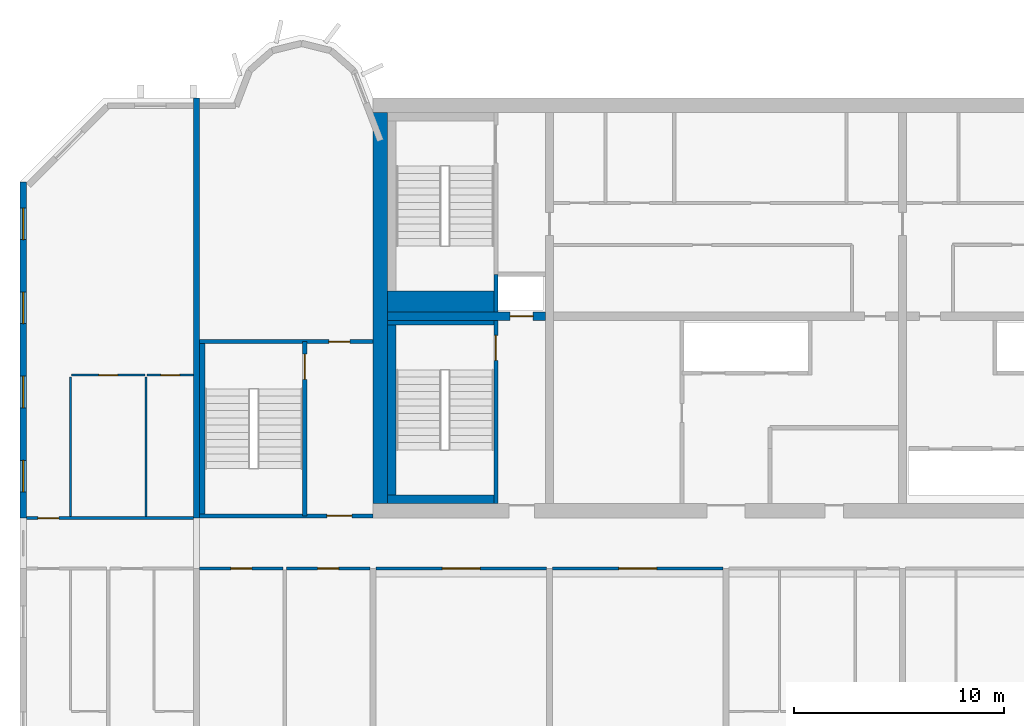
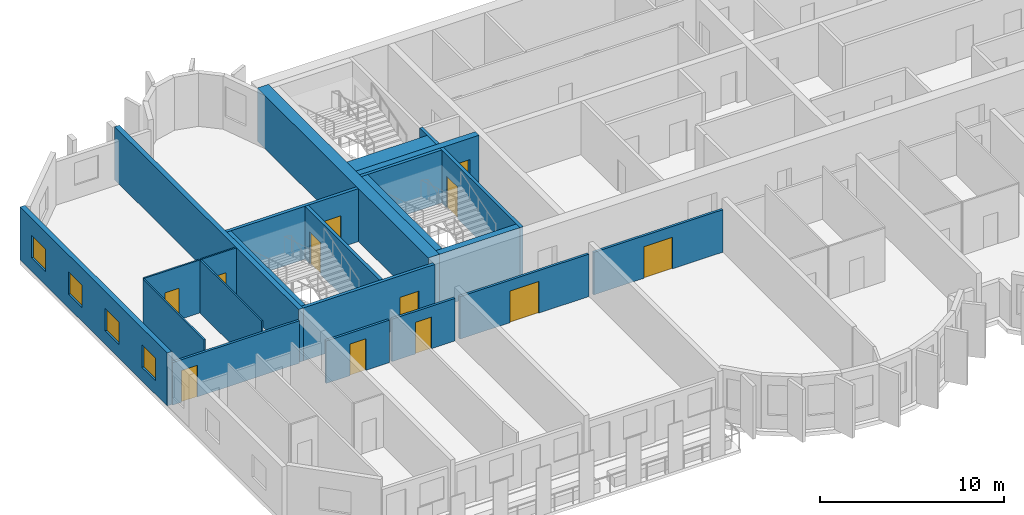
# One storey, part 3 of 13: 23 walls, 12 doors, 4 windows, 16 openings.
"""IFC4 building model written with IfcOpenShell, lengths in metres."""

from ifc_helpers import new_model, si_unit, direction, frame, frame_2d, origin, place, context, subcontext, project, spatial, rectangle, extrude, source, transform, mapped, material, layer, layer_set, type_object, element, fill, save


model = new_model("IFC4")

# Units and contexts
model_context = context("Model", 3, precision=1e-05, world=origin(), true_north=direction((0.0, 1.0)))
body_context = subcontext(model_context, "Body", "Model", "MODEL_VIEW")
ifc_project = project(units=[si_unit("LENGTHUNIT", "METRE"), si_unit("AREAUNIT", "SQUARE_METRE"), si_unit("VOLUMEUNIT", "CUBIC_METRE"), si_unit("PLANEANGLEUNIT", "RADIAN"), si_unit("MASSUNIT", "GRAM", prefix="KILO")], contexts=[model_context])

# Site, building, storey
site_placement = place(None, origin())
site = spatial("IfcSite", under=ifc_project, at=site_placement, CompositionType="ELEMENT")
building_placement = place(site_placement, origin())
building = spatial("IfcBuilding", under=site, at=building_placement, Name="Vanashikhar Sky Hotel", CompositionType="ELEMENT")
storey_placement = place(building_placement, frame((0.0, 0.0, 197.199951171875)))
storey = spatial("IfcBuildingStorey", under=building, at=storey_placement, Name="L48", CompositionType="ELEMENT", Elevation=197.199951171875)

# Wall
ifc_material_1 = material(Name="Concrete M60", Category="concrete")
ifc_layer_1 = layer(ifc_material_1, 0.699951171875)
ifc_layer_set_1 = layer_set([ifc_layer_1], Name="RC core shell wall 700 Concrete M60")
wall_type_1 = type_object("IfcWallType", Name="RC core shell wall 700 Concrete M60", PredefinedType="SHEAR", material=ifc_layer_set_1)
shared_shape_1 = source(origin(), body_context, "Body", "SweptSolid", [
    extrude(rectangle(XDim=18.60009765625, YDim=0.699951171875, at=frame_2d((9.300048828125, 0.0))), origin(), (0.0, 0.0, 1.0), 3.52001953125),
])
wall_1_placement = place(storey_placement, frame((25.550048828125, 22.699951171875, 0.0), z_axis=(0.0, 0.0, 1.0), x_axis=(0.0, 1.0, 0.0)))
element("IfcWall", 1, at=wall_1_placement, inside=storey, type_object=wall_type_1, Name="KW-L48-KW", PredefinedType="SHEAR", context=body_context, shape_type="MappedRepresentation", body=[
    mapped(shared_shape_1, transform((0.0, 0.0, 0.0), scale=1.0)),
])

# Wall, opening, door
ifc_layer_2 = layer(ifc_material_1, 0.39990234375)
ifc_layer_set_2 = layer_set([ifc_layer_2], Name="RC core inner wall 400 Concrete M60")
wall_type_2 = type_object("IfcWallType", Name="RC core inner wall 400 Concrete M60", PredefinedType="SHEAR", material=ifc_layer_set_2)
shared_shape_2 = source(origin(), body_context, "Body", "SweptSolid", [
    extrude(rectangle(XDim=7.5, YDim=0.39990234375, at=frame_2d((3.75, 0.0))), origin(), (0.0, 0.0, 1.0), 3.52001953125),
])
wall_2_placement = place(storey_placement, frame((25.89990234375, 31.60009765625, 0.0), z_axis=(0.0, 0.0, 1.0), x_axis=(1.0, 0.0, 0.0)))
wall_2 = element("IfcWall", 2, at=wall_2_placement, inside=storey, type_object=wall_type_2, Name="KW-L48-KY1", PredefinedType="SHEAR", context=body_context, shape_type="MappedRepresentation", body=[
    mapped(shared_shape_2, transform((0.0, 0.0, 0.0), scale=1.0)),
])
shared_shape_3 = source(origin(), body_context, "Body", "SweptSolid", [
    extrude(rectangle(XDim=1.10009765625, YDim=2.10009765625, at=frame_2d((0.550048828125, 1.050048828125))), frame((0.0, 0.2099609375, 0.0), z_axis=(0.0, -1.0, 0.0), x_axis=(1.0, 0.0, 0.0)), (0.0, 0.0, 1.0), 0.419921875),
])
opening_1_placement = place(wall_2_placement, frame((5.824951171875, 0.0, 0.0)))
opening_1 = element("IfcOpeningElement", 3, at=opening_1_placement, cuts=wall_2, Name="Opening LD", PredefinedType="OPENING", context=body_context, shape_type="MappedRepresentation", body=[
    mapped(shared_shape_3, transform((0.0, 0.0, 0.0), scale=1.0)),
])
ifc_material_2 = material(Name="Stainless steel", Category="steel")
door_type_1 = type_object("IfcDoorType", Name="Lift landing door 1100", OperationType="NOTDEFINED", PredefinedType="DOOR", material=ifc_material_2)
shared_shape_4 = source(origin(), body_context, "Body", "SweptSolid", [
    extrude(rectangle(XDim=1.10009765625, YDim=2.10009765625, at=frame_2d((0.550048828125, 1.050048828125))), frame((0.0, 0.02490234375, 0.0), z_axis=(0.0, -1.0, 0.0), x_axis=(1.0, 0.0, 0.0)), (0.0, 0.0, 1.0), 0.050048828125),
])
door_1_placement = place(opening_1_placement, origin())
door_1 = element("IfcDoor", 4, at=door_1_placement, inside=storey, type_object=door_type_1, Name="Lift landing door 1100", OperationType="SLIDING_TO_RIGHT", OverallHeight=2.10009765625, OverallWidth=1.10009765625, PredefinedType="DOOR", context=body_context, shape_type="MappedRepresentation", body=[
    mapped(shared_shape_4, transform((0.0, 0.0, 0.0), scale=1.0)),
])
fill(opening_1, door_1)

# Wall, openings, windows
ifc_layer_3 = layer(ifc_material_1, 0.300048828125)
ifc_layer_set_3 = layer_set([ifc_layer_3], Name="RC shear wall 300 Concrete M60")
wall_type_3 = type_object("IfcWallType", Name="RC shear wall 300 Concrete M60", PredefinedType="SHEAR", material=ifc_layer_set_3)
shared_shape_5 = source(origin(), body_context, "Body", "SweptSolid", [
    extrude(rectangle(XDim=16.0, YDim=0.300048828125, at=frame_2d((8.0, 0.0))), origin(), (0.0, 0.0, 1.0), 3.52001953125),
])
wall_3_placement = place(storey_placement, frame((8.550048828125, 22.0, 0.0), z_axis=(0.0, 0.0, 1.0), x_axis=(0.0, 1.0, 0.0)))
wall_3 = element("IfcWall", 5, at=wall_3_placement, inside=storey, type_object=wall_type_3, Name="CW-L48-XW02-2", PredefinedType="SHEAR", context=body_context, shape_type="MappedRepresentation", body=[
    mapped(shared_shape_5, transform((0.0, 0.0, 0.0), scale=1.0)),
])
shared_shape_6 = source(origin(), body_context, "Body", "SweptSolid", [
    extrude(rectangle(XDim=1.5, YDim=1.5, at=frame_2d((0.75, 0.75))), frame((0.0, 0.16015625, 0.0), z_axis=(0.0, -1.0, 0.0), x_axis=(1.0, 0.0, 0.0)), (0.0, 0.0, 1.0), 0.320068359375),
])
opening_2_placement = place(wall_3_placement, frame((1.25, 0.0, 0.89990234375)))
opening_2 = element("IfcOpeningElement", 6, at=opening_2_placement, cuts=wall_3, Name="Opening WN-1", PredefinedType="OPENING", context=body_context, shape_type="MappedRepresentation", body=[
    mapped(shared_shape_6, transform((0.0, 0.0, 0.0), scale=1.0)),
])
opening_3_placement = place(wall_3_placement, frame((5.25, 0.0, 0.89990234375)))
opening_3 = element("IfcOpeningElement", 7, at=opening_3_placement, cuts=wall_3, Name="Opening WN-1", PredefinedType="OPENING", context=body_context, shape_type="MappedRepresentation", body=[
    mapped(shared_shape_6, transform((0.0, 0.0, 0.0), scale=1.0)),
])
opening_4_placement = place(wall_3_placement, frame((9.25, 0.0, 0.89990234375)))
opening_4 = element("IfcOpeningElement", 8, at=opening_4_placement, cuts=wall_3, Name="Opening WN-1", PredefinedType="OPENING", context=body_context, shape_type="MappedRepresentation", body=[
    mapped(shared_shape_6, transform((0.0, 0.0, 0.0), scale=1.0)),
])
opening_5_placement = place(wall_3_placement, frame((13.25, 0.0, 0.89990234375)))
opening_5 = element("IfcOpeningElement", 9, at=opening_5_placement, cuts=wall_3, Name="Opening WN-1", PredefinedType="OPENING", context=body_context, shape_type="MappedRepresentation", body=[
    mapped(shared_shape_6, transform((0.0, 0.0, 0.0), scale=1.0)),
])
ifc_material_3 = material(Name="Glass", Category="glass")
window_type = type_object("IfcWindowType", Name="Window 1500 x 1500", PartitioningType="SINGLE_PANEL", PredefinedType="WINDOW", material=ifc_material_3)
shared_shape_7 = source(origin(), body_context, "Body", "SweptSolid", [
    extrude(rectangle(XDim=1.5, YDim=1.5, at=frame_2d((0.75, 0.75))), frame((0.0, 0.030029296875, 0.0), z_axis=(0.0, -1.0, 0.0), x_axis=(1.0, 0.0, 0.0)), (0.0, 0.0, 1.0), 0.06005859375),
])
window_1_placement = place(opening_2_placement, origin())
window_1 = element("IfcWindow", 10, at=window_1_placement, inside=storey, type_object=window_type, Name="Window WN-1", OverallHeight=1.5, OverallWidth=1.5, PartitioningType="SINGLE_PANEL", PredefinedType="WINDOW", context=body_context, shape_type="MappedRepresentation", body=[
    mapped(shared_shape_7, transform((0.0, 0.0, 0.0), scale=1.0)),
])
fill(opening_2, window_1)
window_2_placement = place(opening_3_placement, origin())
window_2 = element("IfcWindow", 11, at=window_2_placement, inside=storey, type_object=window_type, Name="Window WN-1", OverallHeight=1.5, OverallWidth=1.5, PartitioningType="SINGLE_PANEL", PredefinedType="WINDOW", context=body_context, shape_type="MappedRepresentation", body=[
    mapped(shared_shape_7, transform((0.0, 0.0, 0.0), scale=1.0)),
])
fill(opening_3, window_2)
window_3_placement = place(opening_4_placement, origin())
window_3 = element("IfcWindow", 12, at=window_3_placement, inside=storey, type_object=window_type, Name="Window WN-1", OverallHeight=1.5, OverallWidth=1.5, PartitioningType="SINGLE_PANEL", PredefinedType="WINDOW", context=body_context, shape_type="MappedRepresentation", body=[
    mapped(shared_shape_7, transform((0.0, 0.0, 0.0), scale=1.0)),
])
fill(opening_4, window_3)
window_4_placement = place(opening_5_placement, origin())
window_4 = element("IfcWindow", 13, at=window_4_placement, inside=storey, type_object=window_type, Name="Window WN-1", OverallHeight=1.5, OverallWidth=1.5, PartitioningType="SINGLE_PANEL", PredefinedType="WINDOW", context=body_context, shape_type="MappedRepresentation", body=[
    mapped(shared_shape_7, transform((0.0, 0.0, 0.0), scale=1.0)),
])
fill(opening_5, window_4)

# Wall
shared_shape_8 = source(origin(), body_context, "Body", "SweptSolid", [
    extrude(rectangle(XDim=20.0, YDim=0.300048828125, at=frame_2d((10.0, 0.0))), origin(), (0.0, 0.0, 1.0), 3.52001953125),
])
wall_4_placement = place(storey_placement, frame((16.800048828125, 22.0, 0.0), z_axis=(0.0, 0.0, 1.0), x_axis=(0.0, 1.0, 0.0)))
element("IfcWall", 14, at=wall_4_placement, inside=storey, type_object=wall_type_3, Name="CW-L48-XW03-2", PredefinedType="SHEAR", context=body_context, shape_type="MappedRepresentation", body=[
    mapped(shared_shape_8, transform((0.0, 0.0, 0.0), scale=1.0)),
])

# Wall, opening, door
ifc_material_4 = material(Name="Concrete M50", Category="concrete")
ifc_layer_4 = layer(ifc_material_4, 0.199951171875)
ifc_layer_set_4 = layer_set([ifc_layer_4], Name="Stair wall 200")
wall_type_4 = type_object("IfcWallType", Name="Stair wall 200", PredefinedType="SOLIDWALL", material=ifc_layer_set_4)
shared_shape_9 = source(origin(), body_context, "Body", "SweptSolid", [
    extrude(rectangle(XDim=8.2998046875, YDim=0.199951171875, at=frame_2d((4.14990234375, 0.0))), origin(), (0.0, 0.0, 1.0), 3.52001953125),
])
wall_5_placement = place(storey_placement, frame((21.949951171875, 22.10009765625, 0.0), z_axis=(0.0, 0.0, 1.0), x_axis=(0.0, 1.0, 0.0)))
wall_5 = element("IfcWall", 15, at=wall_5_placement, inside=storey, type_object=wall_type_4, Name="Stair wall 200", PredefinedType="SOLIDWALL", context=body_context, shape_type="MappedRepresentation", body=[
    mapped(shared_shape_9, transform((0.0, 0.0, 0.0), scale=1.0)),
])
shared_shape_10 = source(origin(), body_context, "Body", "SweptSolid", [
    extrude(rectangle(XDim=1.199951171875, YDim=2.10009765625, at=frame_2d((0.60009765625, 1.050048828125))), frame((0.0, 0.10986328125, 0.0), z_axis=(0.0, -1.0, 0.0), x_axis=(1.0, 0.0, 0.0)), (0.0, 0.0, 1.0), 0.219970703125),
])
opening_6_placement = place(wall_5_placement, frame((6.5, 0.0, 0.0)))
opening_6 = element("IfcOpeningElement", 16, at=opening_6_placement, cuts=wall_5, Name="Opening DC-1", PredefinedType="OPENING", context=body_context, shape_type="MappedRepresentation", body=[
    mapped(shared_shape_10, transform((0.0, 0.0, 0.0), scale=1.0)),
])
ifc_material_5 = material(Name="Steel", Category="steel")
door_type_2 = type_object("IfcDoorType", Name="Stair door 1200 FD120", OperationType="NOTDEFINED", PredefinedType="DOOR", material=ifc_material_5)
shared_shape_11 = source(origin(), body_context, "Body", "SweptSolid", [
    extrude(rectangle(XDim=1.199951171875, YDim=2.10009765625, at=frame_2d((0.60009765625, 1.050048828125))), frame((0.0, 0.02490234375, 0.0), z_axis=(0.0, -1.0, 0.0), x_axis=(1.0, 0.0, 0.0)), (0.0, 0.0, 1.0), 0.050048828125),
])
door_2_placement = place(opening_6_placement, origin())
door_2 = element("IfcDoor", 17, at=door_2_placement, inside=storey, type_object=door_type_2, Name="Stair door 1200 FD120", OperationType="SINGLE_SWING_LEFT", OverallHeight=2.10009765625, OverallWidth=1.199951171875, PredefinedType="DOOR", context=body_context, shape_type="MappedRepresentation", body=[
    mapped(shared_shape_11, transform((0.0, 0.0, 0.0), scale=1.0)),
])
fill(opening_6, door_2)

shared_shape_12 = source(origin(), body_context, "Body", "SweptSolid", [
    extrude(rectangle(XDim=8.699951171875, YDim=0.199951171875, at=frame_2d((4.35009765625, 0.0))), origin(), (0.0, 0.0, 1.0), 3.52001953125),
])
wall_6_placement = place(storey_placement, frame((31.050048828125, 22.699951171875, 0.0), z_axis=(0.0, 0.0, 1.0), x_axis=(0.0, 1.0, 0.0)))
wall_6 = element("IfcWall", 18, at=wall_6_placement, inside=storey, type_object=wall_type_4, Name="Stair wall 200", PredefinedType="SOLIDWALL", context=body_context, shape_type="MappedRepresentation", body=[
    mapped(shared_shape_12, transform((0.0, 0.0, 0.0), scale=1.0)),
])
opening_7_placement = place(wall_6_placement, frame((6.800048828125, 0.0, 0.0)))
opening_7 = element("IfcOpeningElement", 19, at=opening_7_placement, cuts=wall_6, Name="Opening DC-1", PredefinedType="OPENING", context=body_context, shape_type="MappedRepresentation", body=[
    mapped(shared_shape_10, transform((0.0, 0.0, 0.0), scale=1.0)),
])
door_3_placement = place(opening_7_placement, origin())
door_3 = element("IfcDoor", 20, at=door_3_placement, inside=storey, type_object=door_type_2, Name="Stair door 1200 FD120", OperationType="SINGLE_SWING_LEFT", OverallHeight=2.10009765625, OverallWidth=1.199951171875, PredefinedType="DOOR", context=body_context, shape_type="MappedRepresentation", body=[
    mapped(shared_shape_11, transform((0.0, 0.0, 0.0), scale=1.0)),
])
fill(opening_7, door_3)

# Wall
ifc_material_6 = material(Name="Concrete M40", Category="concrete")
ifc_layer_5 = layer(ifc_material_6, 0.199951171875)
ifc_layer_set_5 = layer_set([ifc_layer_5], Name="Shaft wall 200")
wall_type_5 = type_object("IfcWallType", Name="Shaft wall 200", PredefinedType="SOLIDWALL", material=ifc_layer_set_5)
shared_shape_13 = source(origin(), body_context, "Body", "SweptSolid", [
    extrude(rectangle(XDim=1.800048828125, YDim=0.199951171875, at=frame_2d((0.89990234375, 0.0))), origin(), (0.0, 0.0, 1.0), 3.52001953125),
])
wall_7_placement = place(storey_placement, frame((31.050048828125, 31.800048828125, 0.0), z_axis=(0.0, 0.0, 1.0), x_axis=(0.0, 1.0, 0.0)))
element("IfcWall", 21, at=wall_7_placement, inside=storey, type_object=wall_type_5, Name="Shaft wall 200", PredefinedType="SOLIDWALL", context=body_context, shape_type="MappedRepresentation", body=[
    mapped(shared_shape_13, transform((0.0, 0.0, 0.0), scale=1.0)),
])

# Wall, opening, door
shared_shape_14 = source(origin(), body_context, "Body", "SweptSolid", [
    extrude(rectangle(XDim=8.25, YDim=0.199951171875, at=frame_2d((4.125, 0.0))), origin(), (0.0, 0.0, 1.0), 3.52001953125),
])
wall_8_placement = place(storey_placement, frame((16.949951171875, 22.10009765625, 0.0), z_axis=(0.0, 0.0, 1.0), x_axis=(1.0, 0.0, 0.0)))
wall_8 = element("IfcWall", 22, at=wall_8_placement, inside=storey, type_object=wall_type_4, Name="Stair wall 200", PredefinedType="SOLIDWALL", context=body_context, shape_type="MappedRepresentation", body=[
    mapped(shared_shape_14, transform((0.0, 0.0, 0.0), scale=1.0)),
])
opening_8_placement = place(wall_8_placement, frame((6.050048828125, 0.0, 0.0)))
opening_8 = element("IfcOpeningElement", 23, at=opening_8_placement, cuts=wall_8, Name="Opening DC-2", PredefinedType="OPENING", context=body_context, shape_type="MappedRepresentation", body=[
    mapped(shared_shape_10, transform((0.0, 0.0, 0.0), scale=1.0)),
])
door_type_3 = type_object("IfcDoorType", Name="Firefighting lobby door 1200 FD120", OperationType="NOTDEFINED", PredefinedType="DOOR", material=ifc_material_5)
door_4_placement = place(opening_8_placement, origin())
door_4 = element("IfcDoor", 24, at=door_4_placement, inside=storey, type_object=door_type_3, Name="Firefighting lobby door 1200 FD120", OperationType="SINGLE_SWING_LEFT", OverallHeight=2.10009765625, OverallWidth=1.199951171875, PredefinedType="DOOR", context=body_context, shape_type="MappedRepresentation", body=[
    mapped(shared_shape_11, transform((0.0, 0.0, 0.0), scale=1.0)),
])
fill(opening_8, door_4)

wall_9_placement = place(storey_placement, frame((16.949951171875, 30.39990234375, 0.0), z_axis=(0.0, 0.0, 1.0), x_axis=(1.0, 0.0, 0.0)))
wall_9 = element("IfcWall", 25, at=wall_9_placement, inside=storey, type_object=wall_type_4, Name="Stair wall 200", PredefinedType="SOLIDWALL", context=body_context, shape_type="MappedRepresentation", body=[
    mapped(shared_shape_14, transform((0.0, 0.0, 0.0), scale=1.0)),
])
shared_shape_15 = source(origin(), body_context, "Body", "SweptSolid", [
    extrude(rectangle(XDim=1.0, YDim=2.10009765625, at=frame_2d((0.5, 1.050048828125))), frame((0.0, 0.10986328125, 0.0), z_axis=(0.0, -1.0, 0.0), x_axis=(1.0, 0.0, 0.0)), (0.0, 0.0, 1.0), 0.219970703125),
])
opening_9_placement = place(wall_9_placement, frame((6.14990234375, 0.0, 0.0)))
opening_9 = element("IfcOpeningElement", 26, at=opening_9_placement, cuts=wall_9, Name="Opening DC-6", PredefinedType="OPENING", context=body_context, shape_type="MappedRepresentation", body=[
    mapped(shared_shape_15, transform((0.0, 0.0, 0.0), scale=1.0)),
])
door_type_4 = type_object("IfcDoorType", Name="Pocket door 1000 FD60", OperationType="NOTDEFINED", PredefinedType="DOOR", material=ifc_material_5)
shared_shape_16 = source(origin(), body_context, "Body", "SweptSolid", [
    extrude(rectangle(XDim=1.0, YDim=2.10009765625, at=frame_2d((0.5, 1.050048828125))), frame((0.0, 0.02490234375, 0.0), z_axis=(0.0, -1.0, 0.0), x_axis=(1.0, 0.0, 0.0)), (0.0, 0.0, 1.0), 0.050048828125),
])
door_5_placement = place(opening_9_placement, origin())
door_5 = element("IfcDoor", 27, at=door_5_placement, inside=storey, type_object=door_type_4, Name="Pocket door 1000 FD60", OperationType="SINGLE_SWING_LEFT", OverallHeight=2.10009765625, OverallWidth=1.0, PredefinedType="DOOR", context=body_context, shape_type="MappedRepresentation", body=[
    mapped(shared_shape_16, transform((0.0, 0.0, 0.0), scale=1.0)),
])
fill(opening_9, door_5)

# Walls
ifc_layer_6 = layer(ifc_material_4, 0.39990234375)
ifc_layer_set_6 = layer_set([ifc_layer_6], Name="Stair infill wall 400")
wall_type_6 = type_object("IfcWallType", Name="Stair infill wall 400", PredefinedType="SOLIDWALL", material=ifc_layer_set_6)
shared_shape_17 = source(origin(), body_context, "Body", "SweptSolid", [
    extrude(rectangle(XDim=5.050048828125, YDim=0.39990234375, at=frame_2d((2.52490234375, 0.0))), origin(), (0.0, 0.0, 1.0), 3.52001953125),
])
wall_10_placement = place(storey_placement, frame((25.89990234375, 22.89990234375, 0.0), z_axis=(0.0, 0.0, 1.0), x_axis=(1.0, 0.0, 0.0)))
element("IfcWall", 28, at=wall_10_placement, inside=storey, type_object=wall_type_6, Name="Stair infill wall 400", PredefinedType="SOLIDWALL", context=body_context, shape_type="MappedRepresentation", body=[
    mapped(shared_shape_17, transform((0.0, 0.0, 0.0), scale=1.0)),
])
ifc_layer_7 = layer(ifc_material_4, 0.199951171875)
ifc_layer_set_7 = layer_set([ifc_layer_7], Name="Stair infill wall 200")
wall_type_7 = type_object("IfcWallType", Name="Stair infill wall 200", PredefinedType="SOLIDWALL", material=ifc_layer_set_7)
shared_shape_18 = source(origin(), body_context, "Body", "SweptSolid", [
    extrude(rectangle(XDim=5.050048828125, YDim=0.199951171875, at=frame_2d((2.52490234375, 0.0))), origin(), (0.0, 0.0, 1.0), 3.52001953125),
])
wall_11_placement = place(storey_placement, frame((25.89990234375, 31.300048828125, 0.0), z_axis=(0.0, 0.0, 1.0), x_axis=(1.0, 0.0, 0.0)))
element("IfcWall", 29, at=wall_11_placement, inside=storey, type_object=wall_type_7, Name="Stair infill wall 200", PredefinedType="SOLIDWALL", context=body_context, shape_type="MappedRepresentation", body=[
    mapped(shared_shape_18, transform((0.0, 0.0, 0.0), scale=1.0)),
])
shared_shape_19 = source(origin(), body_context, "Body", "SweptSolid", [
    extrude(rectangle(XDim=8.099853515625, YDim=0.39990234375, at=frame_2d((4.0498046875, 0.0))), origin(), (0.0, 0.0, 1.0), 3.52001953125),
])
wall_12_placement = place(storey_placement, frame((26.10009765625, 23.10009765625, 0.0), z_axis=(0.0, 0.0, 1.0), x_axis=(0.0, 1.0, 0.0)))
element("IfcWall", 30, at=wall_12_placement, inside=storey, type_object=wall_type_6, Name="Stair infill wall 400", PredefinedType="SOLIDWALL", context=body_context, shape_type="MappedRepresentation", body=[
    mapped(shared_shape_19, transform((0.0, 0.0, 0.0), scale=1.0)),
])
ifc_layer_8 = layer(ifc_material_4, 0.25)
ifc_layer_set_8 = layer_set([ifc_layer_8], Name="Stair infill wall 250")
wall_type_8 = type_object("IfcWallType", Name="Stair infill wall 250", PredefinedType="SOLIDWALL", material=ifc_layer_set_8)
shared_shape_20 = source(origin(), body_context, "Body", "SweptSolid", [
    extrude(rectangle(XDim=8.10009765625, YDim=0.25, at=frame_2d((4.050048828125, 0.0))), origin(), (0.0, 0.0, 1.0), 3.52001953125),
])
wall_13_placement = place(storey_placement, frame((17.074951171875, 22.199951171875, 0.0), z_axis=(0.0, 0.0, 1.0), x_axis=(0.0, 1.0, 0.0)))
element("IfcWall", 31, at=wall_13_placement, inside=storey, type_object=wall_type_8, Name="Stair infill wall 250", PredefinedType="SOLIDWALL", context=body_context, shape_type="MappedRepresentation", body=[
    mapped(shared_shape_20, transform((0.0, 0.0, 0.0), scale=1.0)),
])
ifc_layer_9 = layer(ifc_material_4, 1.0)
ifc_layer_set_9 = layer_set([ifc_layer_9], Name="Stair infill wall 1000")
wall_type_9 = type_object("IfcWallType", Name="Stair infill wall 1000", PredefinedType="SOLIDWALL", material=ifc_layer_set_9)
shared_shape_21 = source(origin(), body_context, "Body", "SweptSolid", [
    extrude(rectangle(XDim=5.050048828125, YDim=1.0, at=frame_2d((2.52490234375, 0.0))), origin(), (0.0, 0.0, 1.0), 3.52001953125),
])
wall_14_placement = place(storey_placement, frame((25.89990234375, 32.300048828125, 0.0), z_axis=(0.0, 0.0, 1.0), x_axis=(1.0, 0.0, 0.0)))
element("IfcWall", 32, at=wall_14_placement, inside=storey, type_object=wall_type_9, Name="Stair infill wall 1000", PredefinedType="SOLIDWALL", context=body_context, shape_type="MappedRepresentation", body=[
    mapped(shared_shape_21, transform((0.0, 0.0, 0.0), scale=1.0)),
])

# Wall, opening, door
ifc_material_7 = material(Name="Gypsum plasterboard partition")
ifc_layer_10 = layer(ifc_material_7, 0.10009765625)
ifc_layer_set_10 = layer_set([ifc_layer_10], Name="Wet room partition 100")
wall_type_10 = type_object("IfcWallType", Name="Wet room partition 100", PredefinedType="PARTITIONING", material=ifc_layer_set_10)
shared_shape_22 = source(origin(), body_context, "Body", "SweptSolid", [
    extrude(rectangle(XDim=3.5, YDim=0.10009765625, at=frame_2d((1.75, 0.0))), origin(), (0.0, 0.0, 1.0), 3.52001953125),
])
wall_15_placement = place(storey_placement, frame((10.85009765625, 28.800048828125, 0.0), z_axis=(0.0, 0.0, 1.0), x_axis=(1.0, 0.0, 0.0)))
wall_15 = element("IfcWall", 33, at=wall_15_placement, inside=storey, type_object=wall_type_10, Name="W-L48-PW055", PredefinedType="PARTITIONING", context=body_context, shape_type="MappedRepresentation", body=[
    mapped(shared_shape_22, transform((0.0, 0.0, 0.0), scale=1.0)),
])
shared_shape_23 = source(origin(), body_context, "Body", "SweptSolid", [
    extrude(rectangle(XDim=0.89990234375, YDim=2.10009765625, at=frame_2d((0.449951171875, 1.050048828125))), frame((0.0, 0.06005859375, 0.0), z_axis=(0.0, -1.0, 0.0), x_axis=(1.0, 0.0, 0.0)), (0.0, 0.0, 1.0), 0.1201171875),
])
opening_10_placement = place(wall_15_placement, frame((1.300048828125, 0.0, 0.0)))
opening_10 = element("IfcOpeningElement", 34, at=opening_10_placement, cuts=wall_15, Name="Opening D-02", PredefinedType="OPENING", context=body_context, shape_type="MappedRepresentation", body=[
    mapped(shared_shape_23, transform((0.0, 0.0, 0.0), scale=1.0)),
])
ifc_material_8 = material(Name="Timber door", Category="wood")
door_type_5 = type_object("IfcDoorType", Name="Internal door 900", OperationType="NOTDEFINED", PredefinedType="DOOR", material=ifc_material_8)
shared_shape_24 = source(origin(), body_context, "Body", "SweptSolid", [
    extrude(rectangle(XDim=0.89990234375, YDim=2.10009765625, at=frame_2d((0.449951171875, 1.050048828125))), frame((0.0, 0.02490234375, 0.0), z_axis=(0.0, -1.0, 0.0), x_axis=(1.0, 0.0, 0.0)), (0.0, 0.0, 1.0), 0.050048828125),
])
door_6_placement = place(opening_10_placement, origin())
door_6 = element("IfcDoor", 35, at=door_6_placement, inside=storey, type_object=door_type_5, Name="D-L48-031", OperationType="SINGLE_SWING_LEFT", OverallHeight=2.10009765625, OverallWidth=0.89990234375, PredefinedType="DOOR", context=body_context, shape_type="MappedRepresentation", body=[
    mapped(shared_shape_24, transform((0.0, 0.0, 0.0), scale=1.0)),
])
fill(opening_10, door_6)

ifc_layer_11 = layer(ifc_material_7, 0.14990234375)
ifc_layer_set_11 = layer_set([ifc_layer_11], Name="Corridor and demising partition 150")
wall_type_11 = type_object("IfcWallType", Name="Corridor and demising partition 150", PredefinedType="PARTITIONING", material=ifc_layer_set_11)
shared_shape_25 = source(origin(), body_context, "Body", "SweptSolid", [
    extrude(rectangle(XDim=7.949951171875, YDim=0.14990234375, at=frame_2d((3.97509765625, 0.0))), origin(), (0.0, 0.0, 1.0), 2.820068359375),
])
wall_16_placement = place(storey_placement, frame((8.699951171875, 22.0, 0.0), z_axis=(0.0, 0.0, 1.0), x_axis=(1.0, 0.0, 0.0)))
wall_16 = element("IfcWall", 36, at=wall_16_placement, inside=storey, type_object=wall_type_11, Name="W-L48-PW057", PredefinedType="PARTITIONING", context=body_context, shape_type="MappedRepresentation", body=[
    mapped(shared_shape_25, transform((0.0, 0.0, 0.0), scale=1.0)),
])
shared_shape_26 = source(origin(), body_context, "Body", "SweptSolid", [
    extrude(rectangle(XDim=1.0, YDim=2.10009765625, at=frame_2d((0.5, 1.050048828125))), frame((0.0, 0.0849609375, 0.0), z_axis=(0.0, -1.0, 0.0), x_axis=(1.0, 0.0, 0.0)), (0.0, 0.0, 1.0), 0.169921875),
])
opening_11_placement = place(wall_16_placement, frame((0.550048828125, 0.0, 0.0)))
opening_11 = element("IfcOpeningElement", 37, at=opening_11_placement, cuts=wall_16, Name="Opening D-01", PredefinedType="OPENING", context=body_context, shape_type="MappedRepresentation", body=[
    mapped(shared_shape_26, transform((0.0, 0.0, 0.0), scale=1.0)),
])
ifc_material_9 = material(Name="Timber fire door", Category="wood")
door_type_6 = type_object("IfcDoorType", Name="Guest entry door 1000 FD30S", OperationType="NOTDEFINED", PredefinedType="DOOR", material=ifc_material_9)
door_7_placement = place(opening_11_placement, origin())
door_7 = element("IfcDoor", 38, at=door_7_placement, inside=storey, type_object=door_type_6, Name="D-L48-033", OperationType="SINGLE_SWING_LEFT", OverallHeight=2.10009765625, OverallWidth=1.0, PredefinedType="DOOR", context=body_context, shape_type="MappedRepresentation", body=[
    mapped(shared_shape_16, transform((0.0, 0.0, 0.0), scale=1.0)),
])
fill(opening_11, door_7)

# Walls
shared_shape_27 = source(origin(), body_context, "Body", "SweptSolid", [
    extrude(rectangle(XDim=6.650146484375, YDim=0.10009765625, at=frame_2d((3.3251953125, 0.0))), origin(), (0.0, 0.0, 1.0), 3.52001953125),
])
for number, where, z_axis, x_axis, name in (
    (39, (10.800048828125, 22.074951171875, 0.0), (0.0, 0.0, 1.0), (0.0, 1.0, 0.0), "W-L48-PW053"),
    (40, (14.39990234375, 22.074951171875, 0.0), (0.0, 0.0, 1.0), (0.0, 1.0, 0.0), "W-L48-PW054"),
):
    element("IfcWall", number, at=place(storey_placement, frame(where, z_axis=z_axis, x_axis=x_axis)), inside=storey, type_object=wall_type_10, Name=name, PredefinedType="PARTITIONING", context=body_context, shape_type="MappedRepresentation", body=[
        mapped(shared_shape_27, transform((0.0, 0.0, 0.0), scale=1.0)),
    ])

# Wall, opening, door
shared_shape_28 = source(origin(), body_context, "Body", "SweptSolid", [
    extrude(rectangle(XDim=8.10009765625, YDim=0.14990234375, at=frame_2d((4.050048828125, 0.0))), origin(), (0.0, 0.0, 1.0), 2.820068359375),
])
wall_17_placement = place(storey_placement, frame((33.75, 19.60009765625, 0.0), z_axis=(0.0, 0.0, 1.0), x_axis=(1.0, 0.0, 0.0)))
wall_17 = element("IfcWall", 41, at=wall_17_placement, inside=storey, type_object=wall_type_11, Name="W-L48-PW012", PredefinedType="PARTITIONING", context=body_context, shape_type="MappedRepresentation", body=[
    mapped(shared_shape_28, transform((0.0, 0.0, 0.0), scale=1.0)),
])
shared_shape_29 = source(origin(), body_context, "Body", "SweptSolid", [
    extrude(rectangle(XDim=1.800048828125, YDim=2.10009765625, at=frame_2d((0.89990234375, 1.050048828125))), frame((0.0, 0.0849609375, 0.0), z_axis=(0.0, -1.0, 0.0), x_axis=(1.0, 0.0, 0.0)), (0.0, 0.0, 1.0), 0.169921875),
])
opening_12_placement = place(wall_17_placement, frame((3.14990234375, 0.0, 0.0)))
opening_12 = element("IfcOpeningElement", 42, at=opening_12_placement, cuts=wall_17, Name="Opening D-03", PredefinedType="OPENING", context=body_context, shape_type="MappedRepresentation", body=[
    mapped(shared_shape_29, transform((0.0, 0.0, 0.0), scale=1.0)),
])
door_type_7 = type_object("IfcDoorType", Name="Double leaf door 1800 FD30S", OperationType="NOTDEFINED", PredefinedType="DOOR", material=ifc_material_9)
shared_shape_30 = source(origin(), body_context, "Body", "SweptSolid", [
    extrude(rectangle(XDim=1.800048828125, YDim=2.10009765625, at=frame_2d((0.89990234375, 1.050048828125))), frame((0.0, 0.02490234375, 0.0), z_axis=(0.0, -1.0, 0.0), x_axis=(1.0, 0.0, 0.0)), (0.0, 0.0, 1.0), 0.050048828125),
])
door_8_placement = place(opening_12_placement, origin())
door_8 = element("IfcDoor", 43, at=door_8_placement, inside=storey, type_object=door_type_7, Name="D-L48-008", OperationType="DOUBLE_DOOR_SINGLE_SWING", OverallHeight=2.10009765625, OverallWidth=1.800048828125, PredefinedType="DOOR", context=body_context, shape_type="MappedRepresentation", body=[
    mapped(shared_shape_30, transform((0.0, 0.0, 0.0), scale=1.0)),
])
fill(opening_12, door_8)

shared_shape_31 = source(origin(), body_context, "Body", "SweptSolid", [
    extrude(rectangle(XDim=3.97509765625, YDim=0.14990234375, at=frame_2d((1.987548828125, 0.0))), origin(), (0.0, 0.0, 1.0), 2.820068359375),
])
wall_18_placement = place(storey_placement, frame((16.949951171875, 19.60009765625, 0.0), z_axis=(0.0, 0.0, 1.0), x_axis=(1.0, 0.0, 0.0)))
wall_18 = element("IfcWall", 44, at=wall_18_placement, inside=storey, type_object=wall_type_11, Name="W-L48-PW008", PredefinedType="PARTITIONING", context=body_context, shape_type="MappedRepresentation", body=[
    mapped(shared_shape_31, transform((0.0, 0.0, 0.0), scale=1.0)),
])
opening_13_placement = place(wall_18_placement, frame((1.488037109375, 0.0, 0.0)))
opening_13 = element("IfcOpeningElement", 45, at=opening_13_placement, cuts=wall_18, Name="Opening D-01", PredefinedType="OPENING", context=body_context, shape_type="MappedRepresentation", body=[
    mapped(shared_shape_26, transform((0.0, 0.0, 0.0), scale=1.0)),
])
door_9_placement = place(opening_13_placement, origin())
door_9 = element("IfcDoor", 46, at=door_9_placement, inside=storey, type_object=door_type_6, Name="D-L48-005", OperationType="SINGLE_SWING_LEFT", OverallHeight=2.10009765625, OverallWidth=1.0, PredefinedType="DOOR", context=body_context, shape_type="MappedRepresentation", body=[
    mapped(shared_shape_16, transform((0.0, 0.0, 0.0), scale=1.0)),
])
fill(opening_13, door_9)

wall_19_placement = place(storey_placement, frame((21.074951171875, 19.60009765625, 0.0), z_axis=(0.0, 0.0, 1.0), x_axis=(1.0, 0.0, 0.0)))
wall_19 = element("IfcWall", 47, at=wall_19_placement, inside=storey, type_object=wall_type_11, Name="W-L48-PW009", PredefinedType="PARTITIONING", context=body_context, shape_type="MappedRepresentation", body=[
    mapped(shared_shape_31, transform((0.0, 0.0, 0.0), scale=1.0)),
])
opening_14_placement = place(wall_19_placement, frame((1.488037109375, 0.0, 0.0)))
opening_14 = element("IfcOpeningElement", 48, at=opening_14_placement, cuts=wall_19, Name="Opening D-01", PredefinedType="OPENING", context=body_context, shape_type="MappedRepresentation", body=[
    mapped(shared_shape_26, transform((0.0, 0.0, 0.0), scale=1.0)),
])
door_10_placement = place(opening_14_placement, origin())
door_10 = element("IfcDoor", 49, at=door_10_placement, inside=storey, type_object=door_type_6, Name="D-L48-006", OperationType="SINGLE_SWING_RIGHT", OverallHeight=2.10009765625, OverallWidth=1.0, PredefinedType="DOOR", context=body_context, shape_type="MappedRepresentation", body=[
    mapped(shared_shape_16, transform((0.0, 0.0, 0.0), scale=1.0)),
])
fill(opening_14, door_10)

shared_shape_32 = source(origin(), body_context, "Body", "SweptSolid", [
    extrude(rectangle(XDim=8.099853515625, YDim=0.14990234375, at=frame_2d((4.0498046875, 0.0))), origin(), (0.0, 0.0, 1.0), 2.820068359375),
])
wall_20_placement = place(storey_placement, frame((25.35009765625, 19.60009765625, 0.0), z_axis=(0.0, 0.0, 1.0), x_axis=(1.0, 0.0, 0.0)))
wall_20 = element("IfcWall", 50, at=wall_20_placement, inside=storey, type_object=wall_type_11, Name="W-L48-PW011", PredefinedType="PARTITIONING", context=body_context, shape_type="MappedRepresentation", body=[
    mapped(shared_shape_32, transform((0.0, 0.0, 0.0), scale=1.0)),
])
opening_15_placement = place(wall_20_placement, frame((3.14990234375, 0.0, 0.0)))
opening_15 = element("IfcOpeningElement", 51, at=opening_15_placement, cuts=wall_20, Name="Opening D-03", PredefinedType="OPENING", context=body_context, shape_type="MappedRepresentation", body=[
    mapped(shared_shape_29, transform((0.0, 0.0, 0.0), scale=1.0)),
])
door_11_placement = place(opening_15_placement, origin())
door_11 = element("IfcDoor", 52, at=door_11_placement, inside=storey, type_object=door_type_7, Name="D-L48-007", OperationType="DOUBLE_DOOR_SINGLE_SWING", OverallHeight=2.10009765625, OverallWidth=1.800048828125, PredefinedType="DOOR", context=body_context, shape_type="MappedRepresentation", body=[
    mapped(shared_shape_30, transform((0.0, 0.0, 0.0), scale=1.0)),
])
fill(opening_15, door_11)

shared_shape_33 = source(origin(), body_context, "Body", "SweptSolid", [
    extrude(rectangle(XDim=2.199951171875, YDim=0.10009765625, at=frame_2d((1.10009765625, 0.0))), origin(), (0.0, 0.0, 1.0), 3.52001953125),
])
wall_21_placement = place(storey_placement, frame((14.449951171875, 28.800048828125, 0.0), z_axis=(0.0, 0.0, 1.0), x_axis=(1.0, 0.0, 0.0)))
wall_21 = element("IfcWall", 53, at=wall_21_placement, inside=storey, type_object=wall_type_10, Name="W-L48-PW056", PredefinedType="PARTITIONING", context=body_context, shape_type="MappedRepresentation", body=[
    mapped(shared_shape_33, transform((0.0, 0.0, 0.0), scale=1.0)),
])
opening_16_placement = place(wall_21_placement, frame((0.64990234375, 0.0, 0.0)))
opening_16 = element("IfcOpeningElement", 54, at=opening_16_placement, cuts=wall_21, Name="Opening D-02", PredefinedType="OPENING", context=body_context, shape_type="MappedRepresentation", body=[
    mapped(shared_shape_23, transform((0.0, 0.0, 0.0), scale=1.0)),
])
door_12_placement = place(opening_16_placement, origin())
door_12 = element("IfcDoor", 55, at=door_12_placement, inside=storey, type_object=door_type_5, Name="D-L48-032", OperationType="SINGLE_SWING_LEFT", OverallHeight=2.10009765625, OverallWidth=0.89990234375, PredefinedType="DOOR", context=body_context, shape_type="MappedRepresentation", body=[
    mapped(shared_shape_24, transform((0.0, 0.0, 0.0), scale=1.0)),
])
fill(opening_16, door_12)

save(model, "model.ifc")
